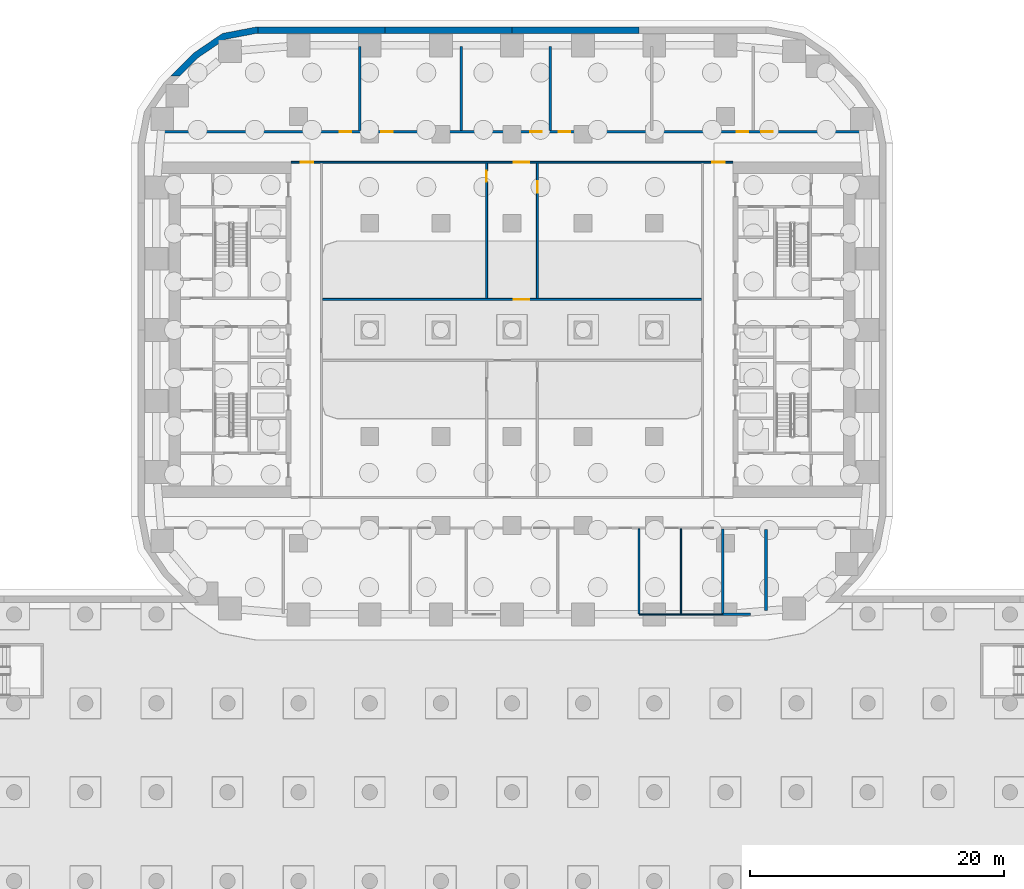
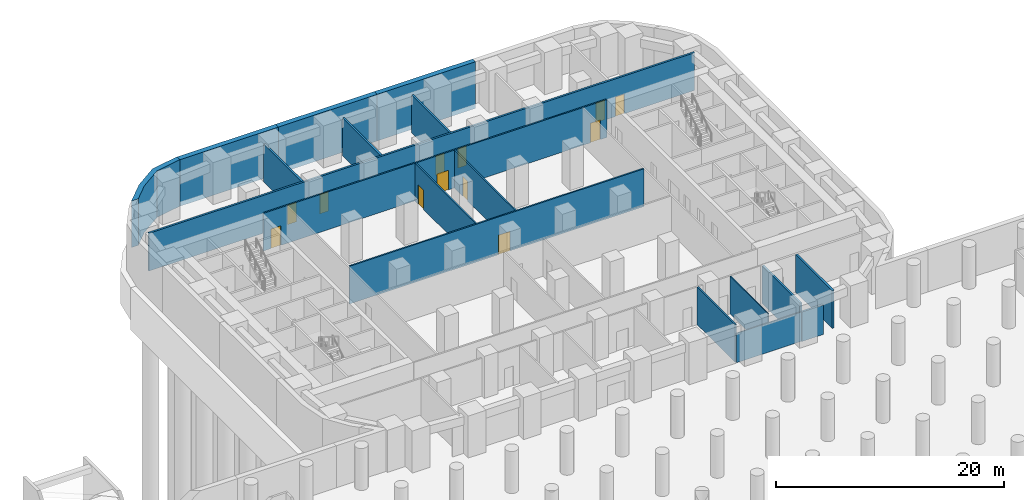
# One storey, part 12 of 23: 18 walls, 12 doors, 12 openings.
"""IFC4 building model written with IfcOpenShell, lengths in metres."""

from ifc_helpers import new_model, si_unit, direction, frame, frame_2d, origin, place, context, subcontext, project, spatial, polyline, rectangle, outline, extrude, material, layer, layer_set, type_object, element, fill, save


model = new_model("IFC4")

# Units and contexts
model_context = context("Model", 3, precision=1e-05, world=origin(), true_north=direction((0.0, 1.0)))
body_context = subcontext(model_context, "Body", "Model", "MODEL_VIEW")
ifc_project = project(units=[si_unit("LENGTHUNIT", "METRE"), si_unit("AREAUNIT", "SQUARE_METRE"), si_unit("VOLUMEUNIT", "CUBIC_METRE"), si_unit("PLANEANGLEUNIT", "RADIAN"), si_unit("MASSUNIT", "GRAM", prefix="KILO")], contexts=[model_context])

# Site, building, storey
site_placement = place(None, origin())
site = spatial("IfcSite", under=ifc_project, at=site_placement, CompositionType="ELEMENT")
building_placement = place(site_placement, origin())
building = spatial("IfcBuilding", under=site, at=building_placement, Name="Kiln Ring Residences", CompositionType="ELEMENT")
storey_placement = place(building_placement, frame((0.0, 0.0, -4.5)))
storey = spatial("IfcBuildingStorey", under=building, at=storey_placement, Name="B1", CompositionType="ELEMENT", Elevation=-4.5)

# Walls
ifc_material_1 = material(Name="Concrete C50/60", Category="concrete")
ifc_layer_1 = layer(ifc_material_1, 0.5)
ifc_layer_set_1 = layer_set([ifc_layer_1], Name="Basement retaining wall 500 C50/60")
wall_type_1 = type_object("IfcWallType", Name="Basement retaining wall 500 C50/60", PredefinedType="SOLIDWALL", material=ifc_layer_set_1)
placement = place(storey_placement, frame((0.0, 0.0, -0.5)))
element("IfcWall", 1, at=placement, inside=storey, type_object=wall_type_1, Name="Basement retaining wall B1 16", PredefinedType="SOLIDWALL", context=body_context, shape_type="SweptSolid", body=[
    extrude(outline(polyline([(-26.8505859375, 20.0), (-26.1435546875, 20.0), (-24.705322265625, 21.438232421875), (-22.595458984375, 22.8720703125), (-20.08984375, 23.35009765625), (-20.0, 23.35009765625), (-20.0, 23.85009765625), (-20.136962890625, 23.85009765625), (-22.791015625, 23.34375), (-25.025390625, 21.8251953125), (-26.8505859375, 20.0)])), origin(), (0.0, 0.0, 1.0), 5.0),
])
element("IfcWall", 2, at=placement, inside=storey, type_object=wall_type_1, Name="Basement retaining wall B1 18", PredefinedType="SOLIDWALL", context=body_context, shape_type="SweptSolid", body=[
    extrude(outline(polyline([(-20.0, 23.85009765625), (-20.0, 23.35009765625), (-10.0, 23.35009765625), (-10.0, 23.85009765625), (-20.0, 23.85009765625)])), origin(), (0.0, 0.0, 1.0), 5.0),
])
element("IfcWall", 3, at=placement, inside=storey, type_object=wall_type_1, Name="Basement retaining wall B1 20", PredefinedType="SOLIDWALL", context=body_context, shape_type="SweptSolid", body=[
    extrude(outline(polyline([(-10.0, 23.85009765625), (-10.0, 23.35009765625), (0.0, 23.35009765625), (0.0, 23.85009765625), (-10.0, 23.85009765625)])), origin(), (0.0, 0.0, 1.0), 5.0),
])
element("IfcWall", 4, at=placement, inside=storey, type_object=wall_type_1, Name="Basement retaining wall B1 22", PredefinedType="SOLIDWALL", context=body_context, shape_type="SweptSolid", body=[
    extrude(outline(polyline([(0.0, 23.85009765625), (0.0, 23.35009765625), (10.0, 23.35009765625), (10.0, 23.85009765625), (0.0, 23.85009765625)])), origin(), (0.0, 0.0, 1.0), 5.0),
])
ifc_material_2 = material(Name="Gypsum board on steel studs", Category="steel")
ifc_layer_2 = layer(ifc_material_2, 0.10009765625)
ifc_layer_set_2 = layer_set([ifc_layer_2], Name="PARTITION-100")
wall_type_2 = type_object("IfcWallType", Name="PARTITION-100", PredefinedType="PARTITIONING", material=ifc_layer_set_2)
wall_5_placement = place(storey_placement, frame((10.0, -22.39990234375, 0.0), z_axis=(0.0, 0.0, 1.0), x_axis=(1.0, 0.0, 0.0)))
element("IfcWall", 5, at=wall_5_placement, inside=storey, type_object=wall_type_2, Name="Partition 004", PredefinedType="PARTITIONING", context=body_context, shape_type="SweptSolid", body=[
    extrude(rectangle(XDim=6.60009765625, YDim=0.10009765625, at=frame_2d((3.300048828125, 0.0))), origin(), (0.0, 0.0, 1.0), 3.14990234375),
])
wall_6_placement = place(storey_placement, frame((13.300048828125, -22.35009765625, 0.0), z_axis=(0.0, 0.0, 1.0), x_axis=(0.0, 1.0, 0.0)))
element("IfcWall", 6, at=wall_6_placement, inside=storey, type_object=wall_type_2, Name="Partition 029", PredefinedType="PARTITIONING", context=body_context, shape_type="SweptSolid", body=[
    extrude(rectangle(XDim=6.675048828125, YDim=0.10009765625, at=frame_2d((3.33740234375, 0.0))), origin(), (0.0, 0.0, 1.0), 4.050048828125),
])

# Wall, opening, door
ifc_material_3 = material(Name="Brick masonry partition", Category="masonry")
ifc_layer_3 = layer(ifc_material_3, 0.14990234375)
ifc_layer_set_3 = layer_set([ifc_layer_3], Name="PARTITION-150-ei60")
wall_type_3 = type_object("IfcWallType", Name="PARTITION-150-ei60", PredefinedType="PARTITIONING", material=ifc_layer_set_3)
wall_7_placement = place(storey_placement, frame((-14.925048828125, 2.39990234375, 0.0), z_axis=(0.0, 0.0, 1.0), x_axis=(1.0, 0.0, 0.0)))
wall_7 = element("IfcWall", 7, at=wall_7_placement, inside=storey, type_object=wall_type_3, Name="Partition 011", PredefinedType="PARTITIONING", context=body_context, shape_type="SweptSolid", body=[
    extrude(rectangle(XDim=29.85009765625, YDim=0.14990234375, at=frame_2d((14.925048828125, 0.0))), origin(), (0.0, 0.0, 1.0), 4.050048828125),
])
opening_1_placement = place(wall_7_placement, frame((15.074951171875, 0.0, 0.0)))
opening_1 = element("IfcOpeningElement", 8, at=opening_1_placement, cuts=wall_7, Name="Opening B1-D003", PredefinedType="OPENING", context=body_context, shape_type="SweptSolid", body=[
    extrude(rectangle(XDim=1.199951171875, YDim=2.10009765625, at=frame_2d((0.60009765625, 1.050048828125))), frame((0.0, 0.0849609375, 0.0), z_axis=(0.0, -1.0, 0.0), x_axis=(1.0, 0.0, 0.0)), (0.0, 0.0, 1.0), 0.169921875),
])
ifc_material_4 = material(Name="Steel faced fire door leaf", Category="steel")
door_type_1 = type_object("IfcDoorType", Name="FLAT-DOOR-1200-FR", OperationType="SINGLE_SWING_LEFT", PredefinedType="DOOR", material=ifc_material_4)
door_1_placement = place(opening_1_placement, origin())
door_1 = element("IfcDoor", 9, at=door_1_placement, inside=storey, type_object=door_type_1, Name="Door B1-D003", OperationType="SINGLE_SWING_LEFT", OverallHeight=2.10009765625, OverallWidth=1.199951171875, PredefinedType="DOOR", context=body_context, shape_type="SweptSolid", body=[
    extrude(rectangle(XDim=1.199951171875, YDim=2.10009765625, at=frame_2d((0.60009765625, 1.050048828125))), frame((0.0, 0.02490234375, 0.0), z_axis=(0.0, -1.0, 0.0), x_axis=(1.0, 0.0, 0.0)), (0.0, 0.0, 1.0), 0.050048828125),
])
fill(opening_1, door_1)

# Wall, openings, doors
wall_8_placement = place(storey_placement, frame((-17.39990234375, 13.199951171875, 0.0), z_axis=(0.0, 0.0, 1.0), x_axis=(1.0, 0.0, 0.0)))
wall_8 = element("IfcWall", 10, at=wall_8_placement, inside=storey, type_object=wall_type_3, Name="Partition 012", PredefinedType="PARTITIONING", context=body_context, shape_type="SweptSolid", body=[
    extrude(rectangle(XDim=34.7998046875, YDim=0.14990234375, at=frame_2d((17.39990234375, 0.0))), origin(), (0.0, 0.0, 1.0), 4.050048828125),
])
opening_2_placement = place(wall_8_placement, frame((17.550048828125, 0.0, 0.0)))
opening_2 = element("IfcOpeningElement", 11, at=opening_2_placement, cuts=wall_8, Name="Opening B1-D004", PredefinedType="OPENING", context=body_context, shape_type="SweptSolid", body=[
    extrude(rectangle(XDim=1.199951171875, YDim=2.10009765625, at=frame_2d((0.60009765625, 1.050048828125))), frame((0.0, 0.0849609375, 0.0), z_axis=(0.0, -1.0, 0.0), x_axis=(1.0, 0.0, 0.0)), (0.0, 0.0, 1.0), 0.169921875),
])
opening_3_placement = place(wall_8_placement, frame((0.75, 0.0, 0.0)))
opening_3 = element("IfcOpeningElement", 12, at=opening_3_placement, cuts=wall_8, Name="Opening B1-D005", PredefinedType="OPENING", context=body_context, shape_type="SweptSolid", body=[
    extrude(rectangle(XDim=1.0, YDim=2.10009765625, at=frame_2d((0.5, 1.050048828125))), frame((0.0, 0.0849609375, 0.0), z_axis=(0.0, -1.0, 0.0), x_axis=(1.0, 0.0, 0.0)), (0.0, 0.0, 1.0), 0.169921875),
])
opening_4_placement = place(wall_8_placement, frame((33.14990234375, 0.0, 0.0)))
opening_4 = element("IfcOpeningElement", 13, at=opening_4_placement, cuts=wall_8, Name="Opening B1-D006", PredefinedType="OPENING", context=body_context, shape_type="SweptSolid", body=[
    extrude(rectangle(XDim=1.0, YDim=2.10009765625, at=frame_2d((0.5, 1.050048828125))), frame((0.0, 0.0849609375, 0.0), z_axis=(0.0, -1.0, 0.0), x_axis=(1.0, 0.0, 0.0)), (0.0, 0.0, 1.0), 0.169921875),
])
ifc_material_5 = material(Name="Steel faced fire door leaf", Category="steel")
door_type_2 = type_object("IfcDoorType", Name="FLAT-DOOR-1000-FR", OperationType="SINGLE_SWING_LEFT", PredefinedType="DOOR", material=ifc_material_5)
door_2_placement = place(opening_3_placement, origin())
door_2 = element("IfcDoor", 14, at=door_2_placement, inside=storey, type_object=door_type_2, Name="Door B1-D005", OperationType="SINGLE_SWING_RIGHT", OverallHeight=2.10009765625, OverallWidth=1.0, PredefinedType="DOOR", context=body_context, shape_type="SweptSolid", body=[
    extrude(rectangle(XDim=1.0, YDim=2.10009765625, at=frame_2d((0.5, 1.050048828125))), frame((0.0, 0.02490234375, 0.0), z_axis=(0.0, -1.0, 0.0), x_axis=(1.0, 0.0, 0.0)), (0.0, 0.0, 1.0), 0.050048828125),
])
fill(opening_3, door_2)
door_3_placement = place(opening_4_placement, origin())
door_3 = element("IfcDoor", 15, at=door_3_placement, inside=storey, type_object=door_type_2, Name="Door B1-D006", OperationType="SINGLE_SWING_LEFT", OverallHeight=2.10009765625, OverallWidth=1.0, PredefinedType="DOOR", context=body_context, shape_type="SweptSolid", body=[
    extrude(rectangle(XDim=1.0, YDim=2.10009765625, at=frame_2d((0.5, 1.050048828125))), frame((0.0, 0.02490234375, 0.0), z_axis=(0.0, -1.0, 0.0), x_axis=(1.0, 0.0, 0.0)), (0.0, 0.0, 1.0), 0.050048828125),
])
fill(opening_4, door_3)
door_4_placement = place(opening_2_placement, origin())
door_4 = element("IfcDoor", 16, at=door_4_placement, inside=storey, type_object=door_type_1, Name="Door B1-D004", OperationType="SINGLE_SWING_RIGHT", OverallHeight=2.10009765625, OverallWidth=1.199951171875, PredefinedType="DOOR", context=body_context, shape_type="SweptSolid", body=[
    extrude(rectangle(XDim=1.199951171875, YDim=2.10009765625, at=frame_2d((0.60009765625, 1.050048828125))), frame((0.0, 0.02490234375, 0.0), z_axis=(0.0, -1.0, 0.0), x_axis=(1.0, 0.0, 0.0)), (0.0, 0.0, 1.0), 0.050048828125),
])
fill(opening_2, door_4)

# Wall, opening, door
wall_9_placement = place(storey_placement, frame((-2.0, 2.47509765625, 0.0), z_axis=(0.0, 0.0, 1.0), x_axis=(0.0, 1.0, 0.0)))
wall_9 = element("IfcWall", 17, at=wall_9_placement, inside=storey, type_object=wall_type_3, Name="Partition 022", PredefinedType="PARTITIONING", context=body_context, shape_type="SweptSolid", body=[
    extrude(rectangle(XDim=10.64990234375, YDim=0.14990234375, at=frame_2d((5.324951171875, 0.0))), origin(), (0.0, 0.0, 1.0), 4.050048828125),
])
opening_5_placement = place(wall_9_placement, frame((9.175048828125, 0.0, 0.0)))
opening_5 = element("IfcOpeningElement", 18, at=opening_5_placement, cuts=wall_9, Name="Opening B1-D019", PredefinedType="OPENING", context=body_context, shape_type="SweptSolid", body=[
    extrude(rectangle(XDim=0.89990234375, YDim=2.10009765625, at=frame_2d((0.449951171875, 1.050048828125))), frame((0.0, 0.0849609375, 0.0), z_axis=(0.0, -1.0, 0.0), x_axis=(1.0, 0.0, 0.0)), (0.0, 0.0, 1.0), 0.169921875),
])
ifc_material_6 = material(Name="Steel faced fire door leaf", Category="steel")
door_type_3 = type_object("IfcDoorType", Name="FLAT-DOOR-900-FR", OperationType="SINGLE_SWING_LEFT", PredefinedType="DOOR", material=ifc_material_6)
door_5_placement = place(opening_5_placement, origin())
door_5 = element("IfcDoor", 19, at=door_5_placement, inside=storey, type_object=door_type_3, Name="Door B1-D019", OperationType="SINGLE_SWING_LEFT", OverallHeight=2.10009765625, OverallWidth=0.89990234375, PredefinedType="DOOR", context=body_context, shape_type="SweptSolid", body=[
    extrude(rectangle(XDim=0.89990234375, YDim=2.10009765625, at=frame_2d((0.449951171875, 1.050048828125))), frame((0.0, 0.02490234375, 0.0), z_axis=(0.0, -1.0, 0.0), x_axis=(1.0, 0.0, 0.0)), (0.0, 0.0, 1.0), 0.050048828125),
])
fill(opening_5, door_5)

wall_10_placement = place(storey_placement, frame((2.0, 2.47509765625, 0.0), z_axis=(0.0, 0.0, 1.0), x_axis=(0.0, 1.0, 0.0)))
wall_10 = element("IfcWall", 20, at=wall_10_placement, inside=storey, type_object=wall_type_3, Name="Partition 024", PredefinedType="PARTITIONING", context=body_context, shape_type="SweptSolid", body=[
    extrude(rectangle(XDim=10.64990234375, YDim=0.14990234375, at=frame_2d((5.324951171875, 0.0))), origin(), (0.0, 0.0, 1.0), 4.050048828125),
])
opening_6_placement = place(wall_10_placement, frame((8.324951171875, 0.0, 0.0)))
opening_6 = element("IfcOpeningElement", 21, at=opening_6_placement, cuts=wall_10, Name="Opening B1-D020", PredefinedType="OPENING", context=body_context, shape_type="SweptSolid", body=[
    extrude(rectangle(XDim=0.89990234375, YDim=2.10009765625, at=frame_2d((0.449951171875, 1.050048828125))), frame((0.0, 0.0849609375, 0.0), z_axis=(0.0, -1.0, 0.0), x_axis=(1.0, 0.0, 0.0)), (0.0, 0.0, 1.0), 0.169921875),
])
door_6_placement = place(opening_6_placement, origin())
door_6 = element("IfcDoor", 22, at=door_6_placement, inside=storey, type_object=door_type_3, Name="Door B1-D020", OperationType="SINGLE_SWING_RIGHT", OverallHeight=2.10009765625, OverallWidth=0.89990234375, PredefinedType="DOOR", context=body_context, shape_type="SweptSolid", body=[
    extrude(rectangle(XDim=0.89990234375, YDim=2.10009765625, at=frame_2d((0.449951171875, 1.050048828125))), frame((0.0, 0.02490234375, 0.0), z_axis=(0.0, -1.0, 0.0), x_axis=(1.0, 0.0, 0.0)), (0.0, 0.0, 1.0), 0.050048828125),
])
fill(opening_6, door_6)

# Walls
wall_11_placement = place(storey_placement, frame((10.0, -22.35009765625, 0.0), z_axis=(0.0, 0.0, 1.0), x_axis=(0.0, 1.0, 0.0)))
element("IfcWall", 23, at=wall_11_placement, inside=storey, type_object=wall_type_3, Name="Partition 027", PredefinedType="PARTITIONING", context=body_context, shape_type="SweptSolid", body=[
    extrude(rectangle(XDim=6.675048828125, YDim=0.14990234375, at=frame_2d((3.33740234375, 0.0))), origin(), (0.0, 0.0, 1.0), 4.050048828125),
])
ifc_material_7 = material(Name="Brick masonry partition", Category="masonry")
ifc_layer_4 = layer(ifc_material_7, 0.199951171875)
ifc_layer_set_4 = layer_set([ifc_layer_4], Name="PARTITION-200-ei120")
wall_type_4 = type_object("IfcWallType", Name="PARTITION-200-ei120", PredefinedType="PARTITIONING", material=ifc_layer_set_4)
wall_12_placement = place(storey_placement, frame((16.60009765625, -22.39990234375, 0.0), z_axis=(0.0, 0.0, 1.0), x_axis=(1.0, 0.0, 0.0)))
element("IfcWall", 24, at=wall_12_placement, inside=storey, type_object=wall_type_4, Name="Partition 006", PredefinedType="PARTITIONING", context=body_context, shape_type="SweptSolid", body=[
    extrude(rectangle(XDim=2.18994140625, YDim=0.199951171875, at=frame_2d((1.094970703125, 0.0))), origin(), (0.0, 0.0, 1.0), 3.14990234375),
])

# Wall, openings, doors
wall_13_placement = place(storey_placement, frame((-27.669921875, 15.60009765625, 0.0), z_axis=(0.0, 0.0, 1.0), x_axis=(1.0, 0.0, 0.0)))
wall_13 = element("IfcWall", 25, at=wall_13_placement, inside=storey, type_object=wall_type_4, Name="Partition 013", PredefinedType="PARTITIONING", context=body_context, shape_type="SweptSolid", body=[
    extrude(rectangle(XDim=55.33984375, YDim=0.199951171875, at=frame_2d((27.669921875, 0.0))), origin(), (0.0, 0.0, 1.0), 4.050048828125),
])
opening_7_placement = place(wall_13_placement, frame((14.1201171875, 0.0, 0.0)))
opening_7 = element("IfcOpeningElement", 26, at=opening_7_placement, cuts=wall_13, Name="Opening B1-D013", PredefinedType="OPENING", context=body_context, shape_type="SweptSolid", body=[
    extrude(rectangle(XDim=0.89990234375, YDim=2.10009765625, at=frame_2d((0.449951171875, 1.050048828125))), frame((0.0, 0.10986328125, 0.0), z_axis=(0.0, -1.0, 0.0), x_axis=(1.0, 0.0, 0.0)), (0.0, 0.0, 1.0), 0.219970703125),
])
opening_8_placement = place(wall_13_placement, frame((17.3701171875, 0.0, 0.0)))
opening_8 = element("IfcOpeningElement", 27, at=opening_8_placement, cuts=wall_13, Name="Opening B1-D014", PredefinedType="OPENING", context=body_context, shape_type="SweptSolid", body=[
    extrude(rectangle(XDim=0.89990234375, YDim=2.10009765625, at=frame_2d((0.449951171875, 1.050048828125))), frame((0.0, 0.10986328125, 0.0), z_axis=(0.0, -1.0, 0.0), x_axis=(1.0, 0.0, 0.0)), (0.0, 0.0, 1.0), 0.219970703125),
])
opening_9_placement = place(wall_13_placement, frame((29.1201171875, 0.0, 0.0)))
opening_9 = element("IfcOpeningElement", 28, at=opening_9_placement, cuts=wall_13, Name="Opening B1-D015", PredefinedType="OPENING", context=body_context, shape_type="SweptSolid", body=[
    extrude(rectangle(XDim=0.89990234375, YDim=2.10009765625, at=frame_2d((0.449951171875, 1.050048828125))), frame((0.0, 0.10986328125, 0.0), z_axis=(0.0, -1.0, 0.0), x_axis=(1.0, 0.0, 0.0)), (0.0, 0.0, 1.0), 0.219970703125),
])
opening_10_placement = place(wall_13_placement, frame((31.3701171875, 0.0, 0.0)))
opening_10 = element("IfcOpeningElement", 29, at=opening_10_placement, cuts=wall_13, Name="Opening B1-D016", PredefinedType="OPENING", context=body_context, shape_type="SweptSolid", body=[
    extrude(rectangle(XDim=0.89990234375, YDim=2.10009765625, at=frame_2d((0.449951171875, 1.050048828125))), frame((0.0, 0.10986328125, 0.0), z_axis=(0.0, -1.0, 0.0), x_axis=(1.0, 0.0, 0.0)), (0.0, 0.0, 1.0), 0.219970703125),
])
opening_11_placement = place(wall_13_placement, frame((45.3701171875, 0.0, 0.0)))
opening_11 = element("IfcOpeningElement", 30, at=opening_11_placement, cuts=wall_13, Name="Opening B1-D017", PredefinedType="OPENING", context=body_context, shape_type="SweptSolid", body=[
    extrude(rectangle(XDim=0.89990234375, YDim=2.10009765625, at=frame_2d((0.449951171875, 1.050048828125))), frame((0.0, 0.10986328125, 0.0), z_axis=(0.0, -1.0, 0.0), x_axis=(1.0, 0.0, 0.0)), (0.0, 0.0, 1.0), 0.219970703125),
])
opening_12_placement = place(wall_13_placement, frame((47.299072265625, 0.0, 0.0)))
opening_12 = element("IfcOpeningElement", 31, at=opening_12_placement, cuts=wall_13, Name="Opening B1-D018", PredefinedType="OPENING", context=body_context, shape_type="SweptSolid", body=[
    extrude(rectangle(XDim=0.89990234375, YDim=2.10009765625, at=frame_2d((0.449951171875, 1.050048828125))), frame((0.0, 0.10986328125, 0.0), z_axis=(0.0, -1.0, 0.0), x_axis=(1.0, 0.0, 0.0)), (0.0, 0.0, 1.0), 0.219970703125),
])
door_7_placement = place(opening_7_placement, origin())
door_7 = element("IfcDoor", 32, at=door_7_placement, inside=storey, type_object=door_type_3, Name="Door B1-D013", OperationType="SINGLE_SWING_LEFT", OverallHeight=2.10009765625, OverallWidth=0.89990234375, PredefinedType="DOOR", context=body_context, shape_type="SweptSolid", body=[
    extrude(rectangle(XDim=0.89990234375, YDim=2.10009765625, at=frame_2d((0.449951171875, 1.050048828125))), frame((0.0, 0.02490234375, 0.0), z_axis=(0.0, -1.0, 0.0), x_axis=(1.0, 0.0, 0.0)), (0.0, 0.0, 1.0), 0.050048828125),
])
fill(opening_7, door_7)
door_8_placement = place(opening_8_placement, origin())
door_8 = element("IfcDoor", 33, at=door_8_placement, inside=storey, type_object=door_type_3, Name="Door B1-D014", OperationType="SINGLE_SWING_RIGHT", OverallHeight=2.10009765625, OverallWidth=0.89990234375, PredefinedType="DOOR", context=body_context, shape_type="SweptSolid", body=[
    extrude(rectangle(XDim=0.89990234375, YDim=2.10009765625, at=frame_2d((0.449951171875, 1.050048828125))), frame((0.0, 0.02490234375, 0.0), z_axis=(0.0, -1.0, 0.0), x_axis=(1.0, 0.0, 0.0)), (0.0, 0.0, 1.0), 0.050048828125),
])
fill(opening_8, door_8)
door_9_placement = place(opening_9_placement, origin())
door_9 = element("IfcDoor", 34, at=door_9_placement, inside=storey, type_object=door_type_3, Name="Door B1-D015", OperationType="SINGLE_SWING_LEFT", OverallHeight=2.10009765625, OverallWidth=0.89990234375, PredefinedType="DOOR", context=body_context, shape_type="SweptSolid", body=[
    extrude(rectangle(XDim=0.89990234375, YDim=2.10009765625, at=frame_2d((0.449951171875, 1.050048828125))), frame((0.0, 0.02490234375, 0.0), z_axis=(0.0, -1.0, 0.0), x_axis=(1.0, 0.0, 0.0)), (0.0, 0.0, 1.0), 0.050048828125),
])
fill(opening_9, door_9)
door_10_placement = place(opening_10_placement, origin())
door_10 = element("IfcDoor", 35, at=door_10_placement, inside=storey, type_object=door_type_3, Name="Door B1-D016", OperationType="SINGLE_SWING_RIGHT", OverallHeight=2.10009765625, OverallWidth=0.89990234375, PredefinedType="DOOR", context=body_context, shape_type="SweptSolid", body=[
    extrude(rectangle(XDim=0.89990234375, YDim=2.10009765625, at=frame_2d((0.449951171875, 1.050048828125))), frame((0.0, 0.02490234375, 0.0), z_axis=(0.0, -1.0, 0.0), x_axis=(1.0, 0.0, 0.0)), (0.0, 0.0, 1.0), 0.050048828125),
])
fill(opening_10, door_10)
door_11_placement = place(opening_11_placement, origin())
door_11 = element("IfcDoor", 36, at=door_11_placement, inside=storey, type_object=door_type_3, Name="Door B1-D017", OperationType="SINGLE_SWING_LEFT", OverallHeight=2.10009765625, OverallWidth=0.89990234375, PredefinedType="DOOR", context=body_context, shape_type="SweptSolid", body=[
    extrude(rectangle(XDim=0.89990234375, YDim=2.10009765625, at=frame_2d((0.449951171875, 1.050048828125))), frame((0.0, 0.02490234375, 0.0), z_axis=(0.0, -1.0, 0.0), x_axis=(1.0, 0.0, 0.0)), (0.0, 0.0, 1.0), 0.050048828125),
])
fill(opening_11, door_11)
door_12_placement = place(opening_12_placement, origin())
door_12 = element("IfcDoor", 37, at=door_12_placement, inside=storey, type_object=door_type_3, Name="Door B1-D018", OperationType="SINGLE_SWING_RIGHT", OverallHeight=2.10009765625, OverallWidth=0.89990234375, PredefinedType="DOOR", context=body_context, shape_type="SweptSolid", body=[
    extrude(rectangle(XDim=0.89990234375, YDim=2.10009765625, at=frame_2d((0.449951171875, 1.050048828125))), frame((0.0, 0.02490234375, 0.0), z_axis=(0.0, -1.0, 0.0), x_axis=(1.0, 0.0, 0.0)), (0.0, 0.0, 1.0), 0.050048828125),
])
fill(opening_12, door_12)

# Walls
for number, where, z_axis, x_axis, name in (
    (38, (-12.0, 15.699951171875, 0.0), (0.0, 0.0, 1.0), (0.0, 1.0, 0.0), "Partition 017"),
    (39, (-4.0, 15.699951171875, 0.0), (0.0, 0.0, 1.0), (0.0, 1.0, 0.0), "Partition 019"),
    (40, (3.0, 15.699951171875, 0.0), (0.0, 0.0, 1.0), (0.0, 1.0, 0.0), "Partition 025"),
):
    element("IfcWall", number, at=place(storey_placement, frame(where, z_axis=z_axis, x_axis=x_axis)), inside=storey, type_object=wall_type_4, Name=name, PredefinedType="PARTITIONING", context=body_context, shape_type="SweptSolid", body=[
        extrude(rectangle(XDim=6.610107421875, YDim=0.199951171875, at=frame_2d((3.30517578125, 0.0))), origin(), (0.0, 0.0, 1.0), 4.050048828125),
    ])
wall_14_placement = place(storey_placement, frame((16.60009765625, -22.35009765625, 0.0), z_axis=(0.0, 0.0, 1.0), x_axis=(0.0, 1.0, 0.0)))
element("IfcWall", 41, at=wall_14_placement, inside=storey, type_object=wall_type_4, Name="Partition 031", PredefinedType="PARTITIONING", context=body_context, shape_type="SweptSolid", body=[
    extrude(rectangle(XDim=6.675048828125, YDim=0.199951171875, at=frame_2d((3.33740234375, 0.0))), origin(), (0.0, 0.0, 1.0), 4.050048828125),
])
wall_15_placement = place(storey_placement, frame((20.0, -22.110107421875, 0.0), z_axis=(0.0, 0.0, 1.0), x_axis=(0.0, 1.0, 0.0)))
element("IfcWall", 42, at=wall_15_placement, inside=storey, type_object=wall_type_4, Name="Partition 033", PredefinedType="PARTITIONING", context=body_context, shape_type="SweptSolid", body=[
    extrude(rectangle(XDim=6.41015625, YDim=0.199951171875, at=frame_2d((3.205078125, 0.0))), origin(), (0.0, 0.0, 1.0), 4.050048828125),
])

save(model, "model.ifc")
